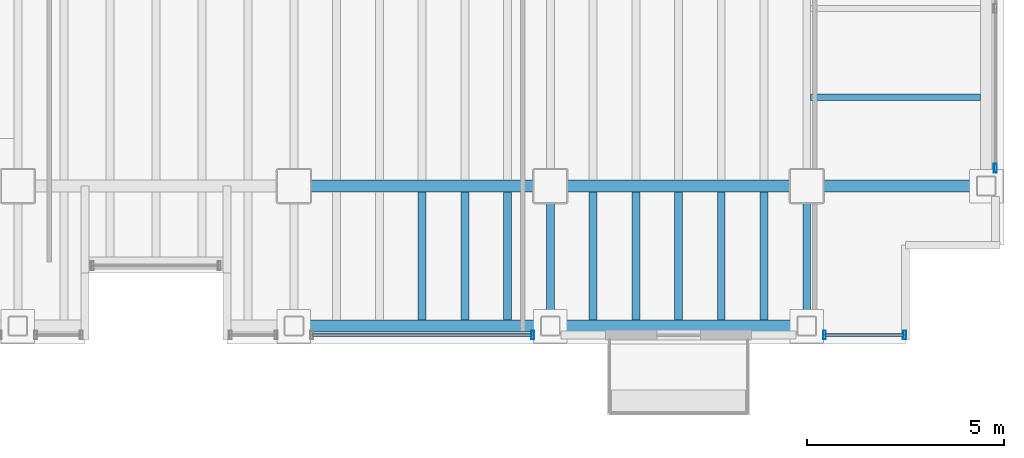
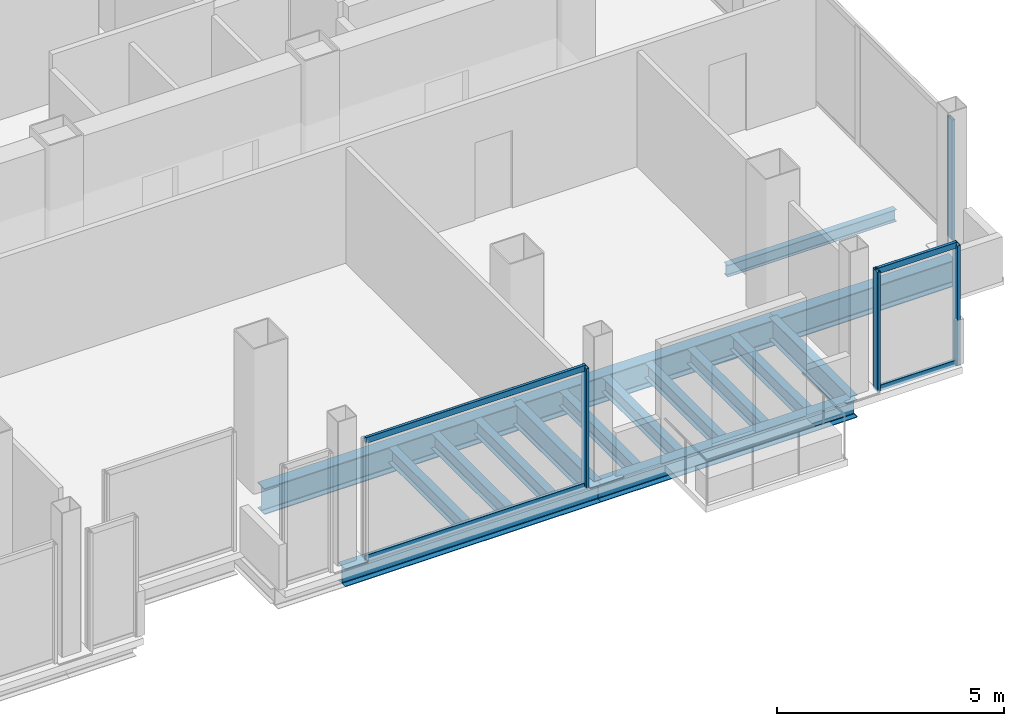
# One storey, part 11 of 19: 16 beams, 8 members, 3 elements without a shape of their own.
"""IFC4 building model written with IfcOpenShell, lengths in metres."""

from ifc_helpers import new_model, si_unit, direction, frame, origin, origin_2d, place, context, subcontext, project, spatial, hollow_rectangle, i_section, extrude, material, material_profile, profile_set, type_object, element, aggregate, save


model = new_model("IFC4")

# Units and contexts
model_context = context("Model", 3, precision=1e-05, world=origin(), true_north=direction((0.0, 1.0)))
body_context = subcontext(model_context, "Body", "Model", "MODEL_VIEW")
ifc_project = project(units=[si_unit("LENGTHUNIT", "METRE"), si_unit("AREAUNIT", "SQUARE_METRE"), si_unit("VOLUMEUNIT", "CUBIC_METRE"), si_unit("PLANEANGLEUNIT", "RADIAN"), si_unit("MASSUNIT", "GRAM", prefix="KILO")], contexts=[model_context])

# Site, building, storey
site_placement = place(None, origin())
site = spatial("IfcSite", under=ifc_project, at=site_placement, CompositionType="ELEMENT")
building_placement = place(site_placement, origin())
building = spatial("IfcBuilding", under=site, at=building_placement, Name="Noeulbin Bourse Tower", CompositionType="ELEMENT")
storey_placement = place(building_placement, frame((0.0, 0.0, 146.10009765625)))
storey = spatial("IfcBuildingStorey", under=building, at=storey_placement, Name="L36", CompositionType="ELEMENT", Elevation=146.10009765625)

# Beams
ifc_material_1 = material(Name="Steel S355", Category="steel")
ifc_material_profile_1 = material_profile(ifc_material_1, i_section(OverallWidth=0.199951171875, OverallDepth=0.60009765625, WebThickness=0.010986328125, FlangeThickness=0.01708984375, FilletRadius=0.02197265625, at=origin_2d()), Name="H-600x200x11x17", Category="LoadBearing")
ifc_profile_set_1 = profile_set([ifc_material_profile_1], Name="Steel S355")
beam_type_1 = type_object("IfcBeamType", Name="BM-GRD-600", PredefinedType="USERDEFINED", material=ifc_profile_set_1)
for number, where, z_axis, x_axis, name in (
    (1, (37.5, 16.449951171875, -0.47998046875), (0.0, 1.0, 0.0), (-1.0, 0.0, 0.0), "Tower Primary Girder NS L36-4.1"),
    (2, (44.0, 16.449951171875, -0.47998046875), (0.0, 1.0, 0.0), (-1.0, 0.0, 0.0), "Tower Primary Girder NS L36-5.1"),
):
    element("IfcBeam", number, at=place(storey_placement, frame(where, z_axis=z_axis, x_axis=x_axis)), inside=storey, type_object=beam_type_1, Name=name, ObjectType="GIRDER", PredefinedType="USERDEFINED", context=body_context, shape_type="SweptSolid", body=[
        extrude(i_section(OverallWidth=0.199951171875, OverallDepth=0.60009765625, WebThickness=0.010986328125, FlangeThickness=0.01708984375, FilletRadius=0.02197265625, at=origin_2d()), origin(), (0.0, 0.0, 1.0), 3.550048828125),
    ])
ifc_material_profile_2 = material_profile(ifc_material_1, i_section(OverallWidth=0.300048828125, OverallDepth=0.699951171875, WebThickness=0.012939453125, FlangeThickness=0.02392578125, FilletRadius=0.02392578125, at=origin_2d()), Name="H-700x300x13x24", Category="LoadBearing")
ifc_profile_set_2 = profile_set([ifc_material_profile_2], Name="Steel S355")
beam_type_2 = type_object("IfcBeamType", Name="BM-GRD-700", PredefinedType="USERDEFINED", material=ifc_profile_set_2)
for number, where, z_axis, x_axis, name in (
    (3, (31.0, 20.0, -0.530029296875), (1.0, 0.0, 0.0), (0.0, 1.0, 0.0), "Tower Primary Girder EW L36-1.4"),
    (4, (37.5, 20.0, -0.530029296875), (1.0, 0.0, 0.0), (0.0, 1.0, 0.0), "Tower Primary Girder EW L36-1.5"),
):
    element("IfcBeam", number, at=place(storey_placement, frame(where, z_axis=z_axis, x_axis=x_axis)), inside=storey, type_object=beam_type_2, Name=name, ObjectType="GIRDER", PredefinedType="USERDEFINED", context=body_context, shape_type="SweptSolid", body=[
        extrude(i_section(OverallWidth=0.300048828125, OverallDepth=0.699951171875, WebThickness=0.012939453125, FlangeThickness=0.02392578125, FilletRadius=0.02392578125, at=origin_2d()), origin(), (0.0, 0.0, 1.0), 6.5),
    ])
beam_1_placement = place(storey_placement, frame((44.0, 20.0, -0.530029296875), z_axis=(1.0, 0.0, 0.0), x_axis=(0.0, 1.0, 0.0)))
element("IfcBeam", 5, at=beam_1_placement, inside=storey, type_object=beam_type_2, Name="Tower Primary Girder EW L36-1.6", ObjectType="GIRDER", PredefinedType="USERDEFINED", context=body_context, shape_type="SweptSolid", body=[
    extrude(i_section(OverallWidth=0.300048828125, OverallDepth=0.699951171875, WebThickness=0.012939453125, FlangeThickness=0.02392578125, FilletRadius=0.02392578125, at=origin_2d()), origin(), (0.0, 0.0, 1.0), 4.550048828125),
])
ifc_material_profile_3 = material_profile(ifc_material_1, i_section(OverallWidth=0.159912109375, OverallDepth=0.320068359375, WebThickness=0.006591796875, FlangeThickness=0.010009765625, FilletRadius=0.012939453125, at=origin_2d()), Name="H-320x160x6.5x10", Category="LoadBearing")
ifc_profile_set_3 = profile_set([ifc_material_profile_3], Name="Steel S355")
beam_type_3 = type_object("IfcBeamType", Name="BM-JST-320", PredefinedType="JOIST", material=ifc_profile_set_3)
beam_2_placement = place(storey_placement, frame((44.10009765625, 22.25, -0.340087890625), z_axis=(1.0, 0.0, 0.0), x_axis=(0.0, 1.0, 0.0)))
element("IfcBeam", 6, at=beam_2_placement, inside=storey, type_object=beam_type_3, Name="Wing Composite Joist L36-E73", PredefinedType="JOIST", context=body_context, shape_type="SweptSolid", body=[
    extrude(i_section(OverallWidth=0.159912109375, OverallDepth=0.320068359375, WebThickness=0.006591796875, FlangeThickness=0.010009765625, FilletRadius=0.012939453125, at=origin_2d()), origin(), (0.0, 0.0, 1.0), 4.2998046875),
])
ifc_material_profile_4 = material_profile(ifc_material_1, i_section(OverallWidth=0.199951171875, OverallDepth=0.39990234375, WebThickness=0.008056640625, FlangeThickness=0.012939453125, FilletRadius=0.01611328125, at=origin_2d()), Name="H-400x200x8x13", Category="LoadBearing")
ifc_profile_set_4 = profile_set([ifc_material_profile_4], Name="Steel S355")
beam_type_4 = type_object("IfcBeamType", Name="BM-SEC-400", PredefinedType="BEAM", material=ifc_profile_set_4)
for number, where, z_axis, x_axis, name in (
    (7, (34.25, 16.60009765625, -0.380126953125), (0.0, 1.0, 0.0), (-1.0, 0.0, 0.0), "Tower Composite Joist L36-46"),
    (8, (35.333251953125, 16.60009765625, -0.380126953125), (0.0, 1.0, 0.0), (-1.0, 0.0, 0.0), "Tower Composite Joist L36-49"),
    (9, (36.416748046875, 16.60009765625, -0.380126953125), (0.0, 1.0, 0.0), (-1.0, 0.0, 0.0), "Tower Composite Joist L36-52"),
    (10, (38.583251953125, 16.60009765625, -0.380126953125), (0.0, 1.0, 0.0), (-1.0, 0.0, 0.0), "Tower Composite Joist L36-55"),
    (11, (39.666748046875, 16.60009765625, -0.380126953125), (0.0, 1.0, 0.0), (-1.0, 0.0, 0.0), "Tower Composite Joist L36-58"),
    (12, (40.75, 16.60009765625, -0.380126953125), (0.0, 1.0, 0.0), (-1.0, 0.0, 0.0), "Tower Composite Joist L36-61"),
    (13, (41.833251953125, 16.60009765625, -0.380126953125), (0.0, 1.0, 0.0), (-1.0, 0.0, 0.0), "Tower Composite Joist L36-64"),
    (14, (42.916748046875, 16.60009765625, -0.380126953125), (0.0, 1.0, 0.0), (-1.0, 0.0, 0.0), "Tower Composite Joist L36-67"),
):
    element("IfcBeam", number, at=place(storey_placement, frame(where, z_axis=z_axis, x_axis=x_axis)), inside=storey, type_object=beam_type_4, Name=name, PredefinedType="BEAM", context=body_context, shape_type="SweptSolid", body=[
        extrude(i_section(OverallWidth=0.199951171875, OverallDepth=0.39990234375, WebThickness=0.008056640625, FlangeThickness=0.012939453125, FilletRadius=0.01611328125, at=origin_2d()), origin(), (0.0, 0.0, 1.0), 3.25),
    ])
ifc_material_profile_5 = material_profile(ifc_material_1, i_section(OverallWidth=0.300048828125, OverallDepth=0.488037109375, WebThickness=0.010986328125, FlangeThickness=0.01806640625, FilletRadius=0.02197265625, at=origin_2d()), Name="H-488x300x11x18", Category="LoadBearing")
ifc_profile_set_5 = profile_set([ifc_material_profile_5], Name="Steel S355")
beam_type_5 = type_object("IfcBeamType", Name="BM-SPN-488", PredefinedType="SPANDREL", material=ifc_profile_set_5)
for number, where, z_axis, x_axis, name in (
    (15, (31.0, 16.449951171875, -0.424072265625), (1.0, 0.0, 0.0), (0.0, 1.0, 0.0), "South Spandrel L36-3"),
    (16, (37.5, 16.449951171875, -0.424072265625), (1.0, 0.0, 0.0), (0.0, 1.0, 0.0), "South Spandrel L36-4"),
):
    element("IfcBeam", number, at=place(storey_placement, frame(where, z_axis=z_axis, x_axis=x_axis)), inside=storey, type_object=beam_type_5, Name=name, PredefinedType="SPANDREL", context=body_context, shape_type="SweptSolid", body=[
        extrude(i_section(OverallWidth=0.300048828125, OverallDepth=0.488037109375, WebThickness=0.010986328125, FlangeThickness=0.01806640625, FilletRadius=0.02197265625, at=origin_2d()), origin(), (0.0, 0.0, 1.0), 6.5),
    ])

# Curtain wall, member
ifc_material_2 = material(Name="Dark Tinted Triple Glazing", Category="glass")
curtain_wall_type = type_object("IfcCurtainWallType", Name="CW-SYS-3", PredefinedType="NOTDEFINED", material=ifc_material_2)
curtain_wall_1_placement = place(storey_placement, origin())
curtain_wall_1 = element("IfcCurtainWall", 17, at=curtain_wall_1_placement, inside=storey, type_object=curtain_wall_type, Name="Unitised Curtain Wall CW-L36-S2-S2", PredefinedType="NOTDEFINED")
ifc_material_3 = material(Name="Anodised Aluminium 6063-T6", Category="aluminium")
ifc_material_profile_6 = material_profile(ifc_material_3, hollow_rectangle(XDim=0.074951171875, YDim=0.219970703125, WallThickness=0.0048828125, InnerFilletRadius=0.00244140625, OuterFilletRadius=0.0048828125, at=origin_2d()), Name="ALU-MULL-75x220x5", Category="LoadBearing")
ifc_profile_set_6 = profile_set([ifc_material_profile_6], Name="Anodised Aluminium 6063-T6")
member_type_1 = type_object("IfcMemberType", Name="CW-SYS-3-MUL", PredefinedType="MULLION", material=ifc_profile_set_6)
member_1_placement = place(storey_placement, frame((37.050048828125, 16.219970703125, -0.02001953125), z_axis=(0.0, 0.0, 1.0), x_axis=(1.0, 0.0, 0.0)))
member_1 = element("IfcMember", 18, at=member_1_placement, type_object=member_type_1, Name="Curtain Wall Mullion CW-L36-S2-S2-M01", PredefinedType="MULLION", context=body_context, shape_type="SweptSolid", body=[
    extrude(hollow_rectangle(XDim=0.074951171875, YDim=0.219970703125, WallThickness=0.0048828125, InnerFilletRadius=0.00244140625, OuterFilletRadius=0.0048828125, at=origin_2d()), origin(), (0.0, 0.0, 1.0), 3.219970703125),
])

# Curtain wall, members
curtain_wall_2_placement = place(storey_placement, origin())
curtain_wall_2 = element("IfcCurtainWall", 19, at=curtain_wall_2_placement, inside=storey, type_object=curtain_wall_type, Name="Unitised Curtain Wall CW-L36-S3", PredefinedType="NOTDEFINED")
member_2_placement = place(storey_placement, frame((44.449951171875, 16.219970703125, -0.02001953125), z_axis=(0.0, 0.0, 1.0), x_axis=(1.0, 0.0, 0.0)))
member_2 = element("IfcMember", 20, at=member_2_placement, type_object=member_type_1, Name="Curtain Wall Mullion CW-L36-S3-M00", PredefinedType="MULLION", context=body_context, shape_type="SweptSolid", body=[
    extrude(hollow_rectangle(XDim=0.074951171875, YDim=0.219970703125, WallThickness=0.0048828125, InnerFilletRadius=0.00244140625, OuterFilletRadius=0.0048828125, at=origin_2d()), origin(), (0.0, 0.0, 1.0), 3.219970703125),
])
member_3_placement = place(storey_placement, frame((46.47998046875, 16.219970703125, -0.02001953125), z_axis=(0.0, 0.0, 1.0), x_axis=(1.0, 0.0, 0.0)))
member_3 = element("IfcMember", 21, at=member_3_placement, type_object=member_type_1, Name="Curtain Wall Mullion CW-L36-S3-M01", PredefinedType="MULLION", context=body_context, shape_type="SweptSolid", body=[
    extrude(hollow_rectangle(XDim=0.074951171875, YDim=0.219970703125, WallThickness=0.0048828125, InnerFilletRadius=0.00244140625, OuterFilletRadius=0.0048828125, at=origin_2d()), origin(), (0.0, 0.0, 1.0), 3.219970703125),
])

# Curtain wall, member
curtain_wall_3_placement = place(storey_placement, origin())
curtain_wall_3 = element("IfcCurtainWall", 22, at=curtain_wall_3_placement, inside=storey, type_object=curtain_wall_type, Name="Unitised Curtain Wall CW-L36-E-S1", PredefinedType="NOTDEFINED")
member_4_placement = place(storey_placement, frame((48.780029296875, 20.449951171875, -0.02001953125), z_axis=(0.0, 0.0, 1.0), x_axis=(1.0, 0.0, 0.0)))
member_4 = element("IfcMember", 23, at=member_4_placement, type_object=member_type_1, Name="Curtain Wall Mullion CW-L36-E-S1-M00", PredefinedType="MULLION", context=body_context, shape_type="SweptSolid", body=[
    extrude(hollow_rectangle(XDim=0.074951171875, YDim=0.219970703125, WallThickness=0.0048828125, InnerFilletRadius=0.00244140625, OuterFilletRadius=0.0048828125, at=origin_2d()), origin(), (0.0, 0.0, 1.0), 3.219970703125),
])
aggregate(curtain_wall_3, [member_4])

# Member
ifc_material_profile_7 = material_profile(ifc_material_3, hollow_rectangle(XDim=0.074951171875, YDim=0.159912109375, WallThickness=0.0048828125, InnerFilletRadius=0.00244140625, OuterFilletRadius=0.0048828125, at=origin_2d()), Name="ALU-TRAN-75x160x5", Category="LoadBearing")
ifc_profile_set_7 = profile_set([ifc_material_profile_7], Name="Anodised Aluminium 6063-T6")
member_type_2 = type_object("IfcMemberType", Name="CW-SYS-3-TRN", PredefinedType="USERDEFINED", material=ifc_profile_set_7)
member_5_placement = place(storey_placement, frame((31.4599609375, 16.219970703125, 0.010009765625), z_axis=(1.0, 0.0, 0.0), x_axis=(0.0, 1.0, 0.0)))
member_5 = element("IfcMember", 24, at=member_5_placement, type_object=member_type_2, Name="Curtain Wall Transom CW-L36-S2-S2-T00", ObjectType="TRANSOM", PredefinedType="USERDEFINED", context=body_context, shape_type="SweptSolid", body=[
    extrude(hollow_rectangle(XDim=0.074951171875, YDim=0.159912109375, WallThickness=0.0048828125, InnerFilletRadius=0.00244140625, OuterFilletRadius=0.0048828125, at=origin_2d()), origin(), (0.0, 0.0, 1.0), 5.580078125),
])

member_6_placement = place(storey_placement, frame((31.4599609375, 16.219970703125, 3.169921875), z_axis=(1.0, 0.0, 0.0), x_axis=(0.0, 1.0, 0.0)))
member_6 = element("IfcMember", 25, at=member_6_placement, type_object=member_type_2, Name="Curtain Wall Transom CW-L36-S2-S2-T01", ObjectType="TRANSOM", PredefinedType="USERDEFINED", context=body_context, shape_type="SweptSolid", body=[
    extrude(hollow_rectangle(XDim=0.074951171875, YDim=0.159912109375, WallThickness=0.0048828125, InnerFilletRadius=0.00244140625, OuterFilletRadius=0.0048828125, at=origin_2d()), origin(), (0.0, 0.0, 1.0), 5.580078125),
])

aggregate(curtain_wall_1, [member_1, member_5, member_6])

member_7_placement = place(storey_placement, frame((44.4599609375, 16.219970703125, 0.010009765625), z_axis=(1.0, 0.0, 0.0), x_axis=(0.0, 1.0, 0.0)))
member_7 = element("IfcMember", 26, at=member_7_placement, type_object=member_type_2, Name="Curtain Wall Transom CW-L36-S3-T00", ObjectType="TRANSOM", PredefinedType="USERDEFINED", context=body_context, shape_type="SweptSolid", body=[
    extrude(hollow_rectangle(XDim=0.074951171875, YDim=0.159912109375, WallThickness=0.0048828125, InnerFilletRadius=0.00244140625, OuterFilletRadius=0.0048828125, at=origin_2d()), origin(), (0.0, 0.0, 1.0), 2.010009765625),
])

member_8_placement = place(storey_placement, frame((44.4599609375, 16.219970703125, 3.169921875), z_axis=(1.0, 0.0, 0.0), x_axis=(0.0, 1.0, 0.0)))
member_8 = element("IfcMember", 27, at=member_8_placement, type_object=member_type_2, Name="Curtain Wall Transom CW-L36-S3-T01", ObjectType="TRANSOM", PredefinedType="USERDEFINED", context=body_context, shape_type="SweptSolid", body=[
    extrude(hollow_rectangle(XDim=0.074951171875, YDim=0.159912109375, WallThickness=0.0048828125, InnerFilletRadius=0.00244140625, OuterFilletRadius=0.0048828125, at=origin_2d()), origin(), (0.0, 0.0, 1.0), 2.010009765625),
])

aggregate(curtain_wall_2, [member_2, member_3, member_7, member_8])

save(model, "model.ifc")
